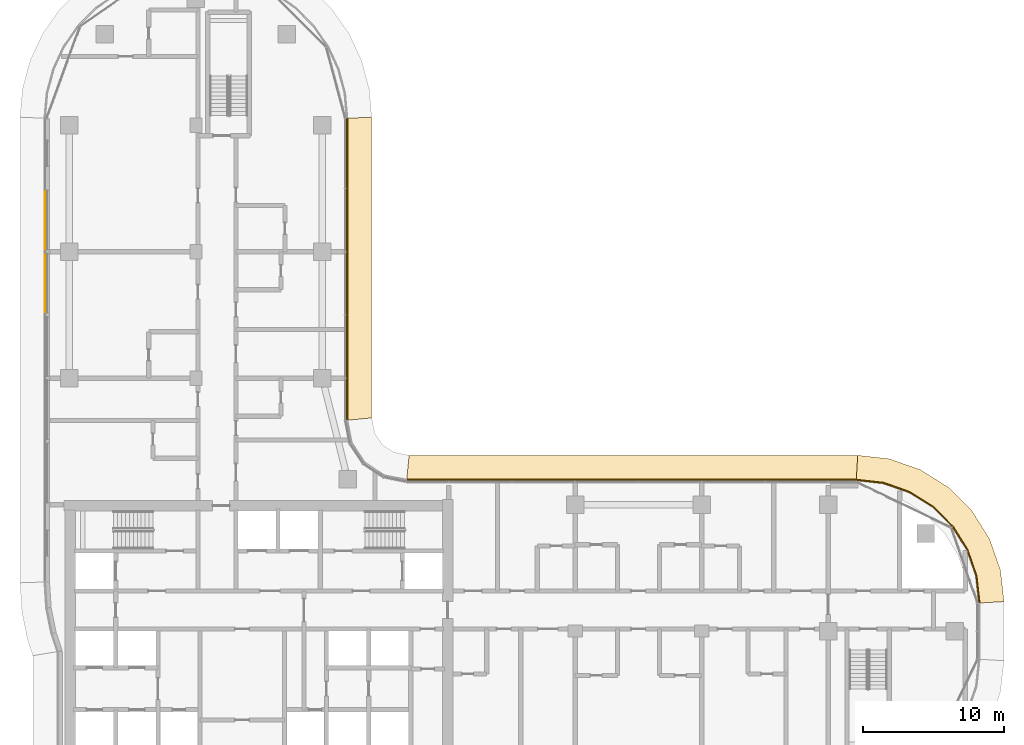
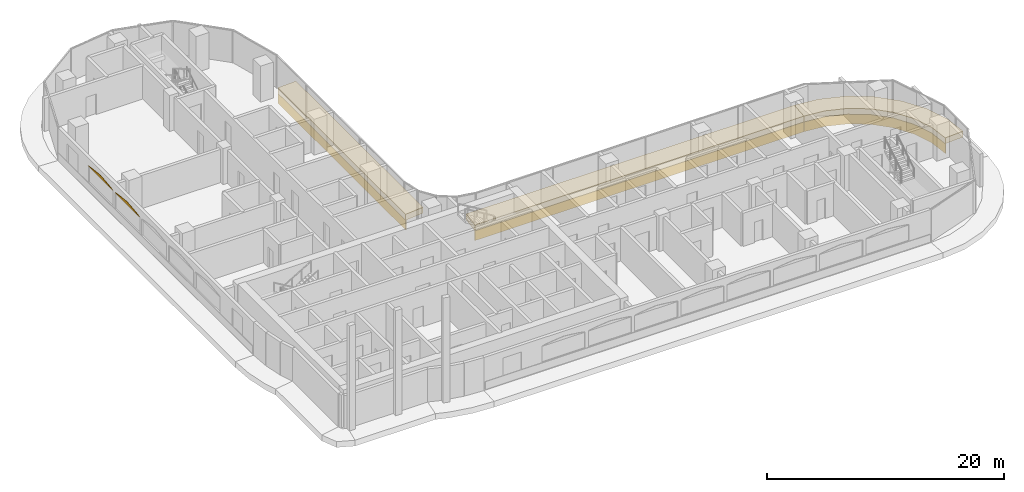
# One storey, part 23 of 25: 8 coverings.
"""IFC4 building model written with IfcOpenShell, lengths in metres."""

from ifc_helpers import new_model, si_unit, direction, frame, origin, place, context, subcontext, project, spatial, polyline, outline, extrude, material, layer, layer_set, type_object, element, save


model = new_model("IFC4")

# Units and contexts
model_context = context("Model", 3, precision=1e-05, world=origin(), true_north=direction((0.0, 1.0)))
body_context = subcontext(model_context, "Body", "Model", "MODEL_VIEW")
ifc_project = project(units=[si_unit("LENGTHUNIT", "METRE"), si_unit("AREAUNIT", "SQUARE_METRE"), si_unit("VOLUMEUNIT", "CUBIC_METRE"), si_unit("PLANEANGLEUNIT", "RADIAN"), si_unit("MASSUNIT", "GRAM", prefix="KILO")], contexts=[model_context])

# Site, building, storey
site_placement = place(None, origin())
site = spatial("IfcSite", under=ifc_project, at=site_placement, CompositionType="ELEMENT")
building_placement = place(site_placement, origin())
building = spatial("IfcBuilding", under=site, at=building_placement, Name="Ogive Portal Towers", CompositionType="ELEMENT")
storey_placement = place(building_placement, frame((0.0, 0.0, 124.10009765625)))
storey = spatial("IfcBuildingStorey", under=building, at=storey_placement, Name="L30", CompositionType="ELEMENT", Elevation=124.10009765625)

# Coverings
ifc_material = material(Name="Limestone cladding on lightweight block wall", Category="masonry")
ifc_layer_1 = layer(ifc_material, 0.0400390625)
ifc_layer_set_1 = layer_set([ifc_layer_1], Name="LANCET HEAD STONE")
covering_type_1 = type_object("IfcCoveringType", Name="LANCET HEAD STONE", PredefinedType="CLADDING", material=ifc_layer_set_1)
for number, where, z_axis, x_axis, name in (
    (1, (29.784912109375, 61.85009765625, 2.599853515625), (0.999955602034, 0.0, 0.009423054701), (0.0, -1.0, 0.0), "Lancet head"),
    (2, (29.784912109375, 57.35009765625, 2.599853515625), (0.999955602034, 0.0, 0.009423054701), (0.0, -1.0, 0.0), "Lancet head"),
):
    element("IfcCovering", number, at=place(storey_placement, frame(where, z_axis=z_axis, x_axis=x_axis)), inside=storey, type_object=covering_type_1, Name=name, PredefinedType="CLADDING", context=body_context, shape_type="SweptSolid", body=[
        extrude(outline(polyline([(0.0, 0.0), (4.2001953125, 0.0), (4.107177734375, -0.037598287541017614), (3.9375, -0.07495474584684635), (3.7177734375, -0.11255303338786396), (3.45751953125, -0.15015362147934563), (3.162353515625, -0.1875077792347103), (2.836181640625, -0.22510836732619197), (2.481201171875, -0.2624625250815566), (2.10009765625, -0.30006311317303835), (1.718994140625, -0.2624625250815566), (1.364013671875, -0.22510836732619197), (1.037841796875, -0.1875077792347103), (0.74267578125, -0.15015362147934563), (0.482421875, -0.11255303338786396), (0.2626953125, -0.07495474584684635), (0.093017578125, -0.037598287541017614), (0.0, 0.0)])), origin(), (0.0, 0.0, -1.0), 0.0400390625),
    ])
ifc_layer_2 = layer(ifc_material, 0.080078125)
ifc_layer_set_2 = layer_set([ifc_layer_2], Name="STONE SPANDREL 80")
covering_type_2 = type_object("IfcCoveringType", Name="STONE SPANDREL 80", PredefinedType="CLADDING", material=ifc_layer_set_2)
covering_1_placement = place(storey_placement, frame((0.0, 0.0, -1.60009765625)))
element("IfcCovering", 3, at=covering_1_placement, inside=storey, type_object=covering_type_2, Name="Stone spandrel A1-F08", PredefinedType="CLADDING", context=body_context, shape_type="SweptSolid", body=[
    extrude(outline(polyline([(96.215087890625, 32.5), (95.99658203125, 34.439208984375), (95.35205078125, 36.28125), (94.313720703125, 37.93359375), (92.93359375, 39.313720703125), (91.28125, 40.35205078125), (89.439208984375, 40.99658203125), (87.5, 41.215087890625), (87.50439453125, 41.294921875), (89.457275390625, 41.074951171875), (91.316162109375, 40.424560546875), (92.98388671875, 39.376708984375), (94.376708984375, 37.98388671875), (95.424560546875, 36.316162109375), (96.074951171875, 34.457275390625), (96.294921875, 32.50439453125), (96.215087890625, 32.5)])), origin(), (0.0, 0.0, 1.0), 1.0),
])
covering_2_placement = place(storey_placement, frame((0.0, 0.0, -1.60009765625)))
element("IfcCovering", 4, at=covering_2_placement, inside=storey, type_object=covering_type_2, Name="Stone spandrel A1-F09", PredefinedType="CLADDING", context=body_context, shape_type="SweptSolid", body=[
    extrude(outline(polyline([(87.5, 41.215087890625), (55.5, 41.215087890625), (55.5078125, 41.294921875), (87.50439453125, 41.294921875), (87.5, 41.215087890625)])), origin(), (0.0, 0.0, 1.0), 1.0),
])
covering_3_placement = place(storey_placement, frame((0.0, 0.0, -1.60009765625)))
element("IfcCovering", 5, at=covering_3_placement, inside=storey, type_object=covering_type_2, Name="Stone spandrel A1-F11", PredefinedType="CLADDING", context=body_context, shape_type="SweptSolid", body=[
    extrude(outline(polyline([(51.215087890625, 45.5), (51.215087890625, 67.0), (51.294921875, 67.00341796875), (51.294921875, 45.5078125), (51.215087890625, 45.5)])), origin(), (0.0, 0.0, 1.0), 1.0),
])
ifc_layer_3 = layer(ifc_material, 0.60009765625)
ifc_layer_set_3 = layer_set([ifc_layer_3], Name="SUNSHADE LIP 600")
covering_type_3 = type_object("IfcCoveringType", Name="SUNSHADE LIP 600", PredefinedType="CLADDING", material=ifc_layer_set_3)
covering_4_placement = place(storey_placement, frame((0.0, 0.0, -0.60009765625)))
element("IfcCovering", 6, at=covering_4_placement, inside=storey, type_object=covering_type_3, Name="Sunshade lip A1-F08", PredefinedType="CLADDING", context=body_context, shape_type="SweptSolid", body=[
    extrude(outline(polyline([(96.215087890625, 32.5), (95.99658203125, 34.439208984375), (95.35205078125, 36.28125), (94.313720703125, 37.93359375), (92.93359375, 39.313720703125), (91.28125, 40.35205078125), (89.439208984375, 40.99658203125), (87.5, 41.215087890625), (87.60107421875, 43.014892578125), (89.84228515625, 42.762451171875), (92.067138671875, 41.98388671875), (94.06298828125, 40.72998046875), (95.72998046875, 39.06298828125), (96.98388671875, 37.067138671875), (97.762451171875, 34.84228515625), (98.014892578125, 32.60107421875), (96.215087890625, 32.5)])), origin(), (0.0, 0.0, 1.0), 0.60009765625),
])
covering_5_placement = place(storey_placement, frame((0.0, 0.0, -0.60009765625)))
element("IfcCovering", 7, at=covering_5_placement, inside=storey, type_object=covering_type_3, Name="Sunshade lip A1-F09", PredefinedType="CLADDING", context=body_context, shape_type="SweptSolid", body=[
    extrude(outline(polyline([(87.5, 41.215087890625), (55.5, 41.215087890625), (55.67724609375, 43.014892578125), (87.60107421875, 43.014892578125), (87.5, 41.215087890625)])), origin(), (0.0, 0.0, 1.0), 0.60009765625),
])
covering_6_placement = place(storey_placement, frame((0.0, 0.0, -0.60009765625)))
element("IfcCovering", 8, at=covering_6_placement, inside=storey, type_object=covering_type_3, Name="Sunshade lip A1-F11", PredefinedType="CLADDING", context=body_context, shape_type="SweptSolid", body=[
    extrude(outline(polyline([(51.215087890625, 45.5), (51.215087890625, 67.0), (53.014892578125, 67.07861328125), (53.014892578125, 45.67724609375), (51.215087890625, 45.5)])), origin(), (0.0, 0.0, 1.0), 0.60009765625),
])

save(model, "model.ifc")
